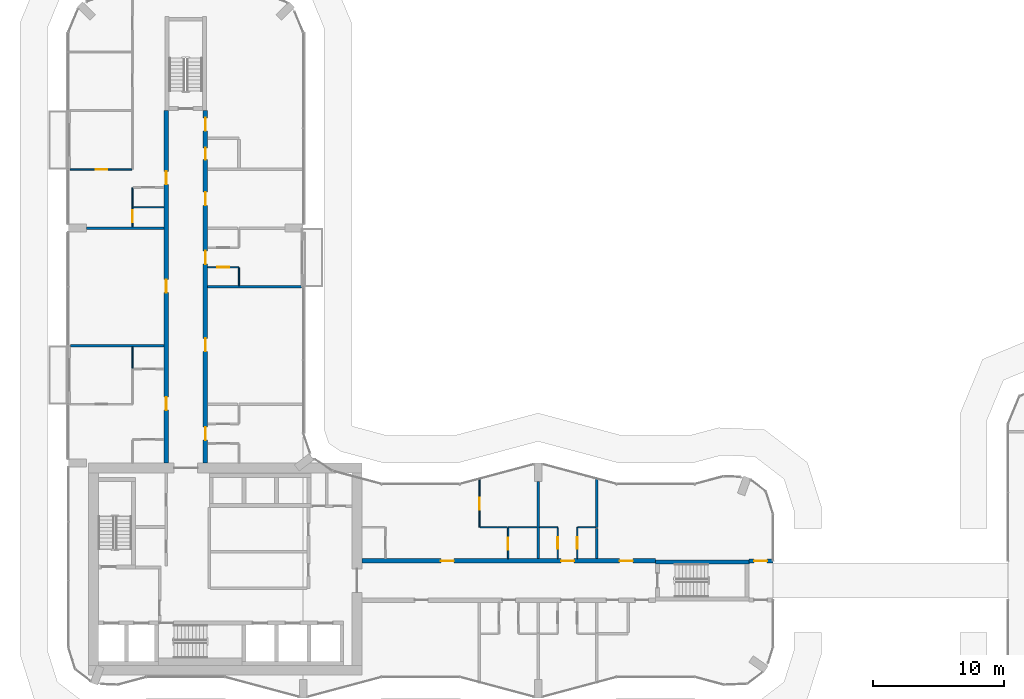
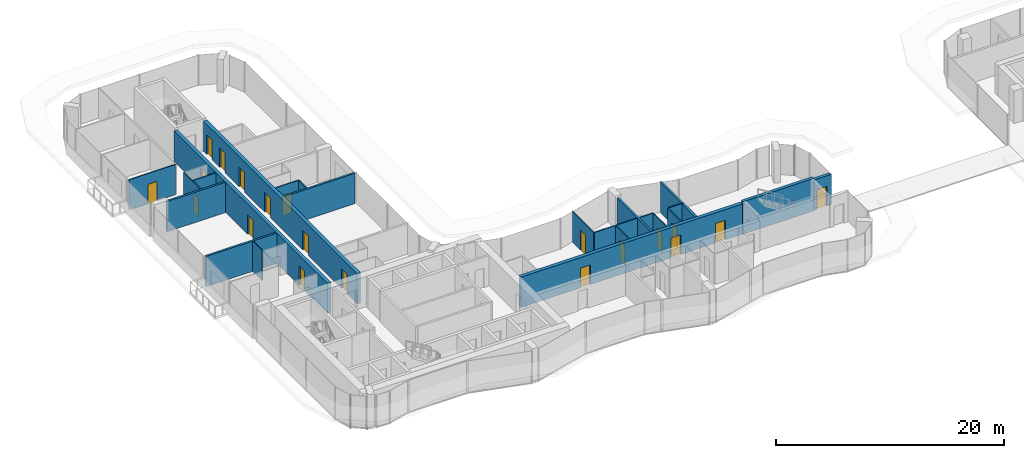
# One storey, part 16 of 24: 25 walls, 20 doors, 20 openings.
"""IFC4 building model written with IfcOpenShell, lengths in metres."""

import ifcopenshell
import ifcopenshell.guid

model = None  # the IFC model being written
_history = None  # IfcOwnerHistory: only IFC2X3 demands one
_inside = {}  # id of a spatial element -> (the spatial element, [elements in it])
_under = {}  # id of a project, library or spatial element -> (it, [spatial elements below it])
_declared = {}  # id of a project -> (the project, [libraries it declares])
_typed = {}  # id of a type object -> (the type object, [elements of that type])
_made_of = {}  # id of a material, layer set ... -> (it, [elements and type objects made of it])


def new_model(schema):
    """Start an empty IFC model of exactly this schema.

    Asked for "IFC4X3", IfcOpenShell would pick the latest addendum, in which some entities
    have other attributes; the version numbers below select the first issue.
    IFC2X3 requires an IfcOwnerHistory on every rooted entity: one is made here for all.
    """
    global model, _history
    if schema == "IFC4X3":
        model = ifcopenshell.file(schema_version=(4, 3, 0, 0))
    else:
        model = ifcopenshell.file(schema=schema)
    _inside.clear()
    _under.clear()
    _declared.clear()
    _typed.clear()
    _made_of.clear()
    _history = None
    if model.schema == "IFC2X3":
        org = make("IfcOrganization", Name="unknown")
        user = make(
            "IfcPersonAndOrganization",
            ThePerson=make("IfcPerson", FamilyName="unknown"),
            TheOrganization=org,
        )
        app = make(
            "IfcApplication",
            ApplicationDeveloper=org,
            Version="unknown",
            ApplicationFullName="unknown",
            ApplicationIdentifier="unknown",
        )
        _history = make(
            "IfcOwnerHistory",
            OwningUser=user,
            OwningApplication=app,
            ChangeAction="ADDED",
            CreationDate=0,
        )
    return model


def make(cls, **values):
    """One entity of the class cls with the attributes given. An attribute that is None is left unset."""
    return model.create_entity(
        cls, **{name: value for name, value in values.items() if value is not None}
    )


def rooted(cls, **values):
    """An entity with a GlobalId (a new one), such as an element, a storey or a relation."""
    return make(cls, GlobalId=ifcopenshell.guid.new(), OwnerHistory=_history, **values)


def si_unit(unit_type, name, prefix=None):
    """IfcSIUnit, for example si_unit("LENGTHUNIT", "METRE", prefix="MILLI")."""
    return make("IfcSIUnit", UnitType=unit_type, Prefix=prefix, Name=name)


def assignment(units):
    """IfcUnitAssignment: the units of a project."""
    return None if units is None else make("IfcUnitAssignment", Units=units)


def point(xyz):
    """IfcCartesianPoint."""
    return None if xyz is None else make("IfcCartesianPoint", Coordinates=xyz)


def direction(xyz):
    """IfcDirection."""
    return None if xyz is None else make("IfcDirection", DirectionRatios=xyz)


def frame(location, z_axis=None, x_axis=None):
    """IfcAxis2Placement3D, a coordinate frame: its origin and axes. An axis left out is left unset."""
    return make(
        "IfcAxis2Placement3D",
        Location=point(location),
        Axis=direction(z_axis),
        RefDirection=direction(x_axis),
    )


def frame_2d(location, x_axis=None):
    """IfcAxis2Placement2D, a coordinate frame in the plane: its origin and x axis."""
    return make(
        "IfcAxis2Placement2D", Location=point(location), RefDirection=direction(x_axis)
    )


def origin():
    """The frame at (0, 0, 0) with its axes left unset."""
    return frame((0.0, 0.0, 0.0))


def place(relative_to, where):
    """IfcLocalPlacement: puts the frame where relative to a parent placement (None: the world)."""
    return make(
        "IfcLocalPlacement", PlacementRelTo=relative_to, RelativePlacement=where
    )


def context(
    kind, dimensions, precision=None, world=None, true_north=None, identifier=None
):
    """IfcGeometricRepresentationContext, for example the 3D "Model" context."""
    return make(
        "IfcGeometricRepresentationContext",
        ContextIdentifier=identifier,
        ContextType=kind,
        CoordinateSpaceDimension=dimensions,
        Precision=precision,
        WorldCoordinateSystem=world,
        TrueNorth=true_north,
    )


def subcontext(parent, identifier, kind, view, scale=None):
    """IfcGeometricRepresentationSubContext, for example "Body" below "Model"."""
    return make(
        "IfcGeometricRepresentationSubContext",
        ContextIdentifier=identifier,
        ContextType=kind,
        ParentContext=parent,
        TargetScale=scale,
        TargetView=view,
    )


def project(units=None, contexts=None):
    """IfcProject with its units and contexts."""
    return rooted(
        "IfcProject",
        Name="project",
        RepresentationContexts=contexts,
        UnitsInContext=assignment(units),
    )


def spatial(cls, under=None, at=None, **own):
    """A site, building, storey or space (cls), placed at a placement, below another one or the project."""
    s = rooted(cls, ObjectPlacement=at, **own)
    if under is not None:
        _under.setdefault(under.id(), (under, []))[1].append(s)
    return s


def profile(cls, at=None, kind="AREA", **sizes):
    """A parametric profile (cls). Its sizes go by their IFC names, for example OverallWidth=200.0."""
    return make(cls, ProfileType=kind, Position=at, **sizes)


def rectangle(**sizes):
    """IfcRectangleProfileDef."""
    return profile("IfcRectangleProfileDef", **sizes)


def extrude(swept, where, along, depth):
    """IfcExtrudedAreaSolid: the profile swept, set in the frame where, extruded along a direction by depth."""
    return make(
        "IfcExtrudedAreaSolid",
        SweptArea=swept,
        Position=where,
        ExtrudedDirection=direction(along),
        Depth=depth,
    )


def shape(context_of_items, identifier, shape_type, items):
    """IfcShapeRepresentation: the items that make up one representation, for example the "Body"."""
    return make(
        "IfcShapeRepresentation",
        ContextOfItems=context_of_items,
        RepresentationIdentifier=identifier,
        RepresentationType=shape_type,
        Items=items,
    )


def material(Name=None, Category=None):
    """IfcMaterial."""
    return make("IfcMaterial", Name=Name, Category=Category)


def layer(
    of_material, thickness, ventilated=None, Name=None, Category=None, Priority=None
):
    """IfcMaterialLayer: one layer of a wall or slab, of a material (None: an air gap)."""
    return make(
        "IfcMaterialLayer",
        Material=of_material,
        LayerThickness=thickness,
        IsVentilated=ventilated,
        Name=Name,
        Category=Category,
        Priority=Priority,
    )


def layer_set(layers, Name=None):
    """IfcMaterialLayerSet."""
    return make("IfcMaterialLayerSet", MaterialLayers=layers, LayerSetName=Name)


def made_of(thing, what):
    """Note that an element or type object is made of a material, layer set ...; save() writes the relation."""
    if what is not None:
        _made_of.setdefault(what.id(), (what, []))[1].append(thing)
    return thing


def type_object(cls, material=None, **own):
    """A type object (cls), such as IfcWallType, which elements share."""
    return made_of(rooted(cls, **own), material)


def element(
    cls,
    number,
    at=None,
    inside=None,
    cuts=None,
    type_object=None,
    material=None,
    context=None,
    identifier="Body",
    shape_type=None,
    held_by="IfcProductDefinitionShape",
    body=None,
    shapes=None,
    **own,
):
    """One element of the class cls, such as IfcWall. Its Tag is "e" and its number.

    at: its placement. inside: the storey or other place that contains it. cuts: it is an
    opening in that element (IfcRelVoidsElement). A single representation is given by context,
    identifier, shape_type and body (its items); several are given by shapes. held_by: the class
    of the entity that holds the representations. save() writes the other relations.
    """
    e = rooted(cls, Tag="e%d" % number, ObjectPlacement=at, **own)
    if body is not None:
        shapes = [shape(context, identifier, shape_type, body)]
    if shapes is not None:
        e.Representation = make(held_by, Representations=shapes)
    if inside is not None:
        _inside.setdefault(inside.id(), (inside, []))[1].append(e)
    if cuts is not None:
        rooted(
            "IfcRelVoidsElement", RelatingBuildingElement=cuts, RelatedOpeningElement=e
        )
    if type_object is not None:
        _typed.setdefault(type_object.id(), (type_object, []))[1].append(e)
    return made_of(e, material)


def fill(opening, filler):
    """IfcRelFillsElement: the door or window that sits in an opening."""
    return rooted(
        "IfcRelFillsElement",
        RelatingOpeningElement=opening,
        RelatedBuildingElement=filler,
    )


def aggregate(whole, parts):
    """IfcRelAggregates: a whole, such as a stair, and the parts it consists of."""
    return rooted("IfcRelAggregates", RelatingObject=whole, RelatedObjects=parts)


def save(model, path):
    """Write the relations noted so far, then the file.

    IfcRelAggregates (storeys below a building ...), IfcRelContainedInSpatialStructure (elements
    in a storey), IfcRelDefinesByType, IfcRelAssociatesMaterial and IfcRelDeclares: one each for
    every whole, place, type object, material and project.
    """
    for whole, parts in _under.values():
        aggregate(whole, parts)
    for where, things in _inside.values():
        rooted(
            "IfcRelContainedInSpatialStructure",
            RelatedElements=things,
            RelatingStructure=where,
        )
    for kind, things in _typed.values():
        rooted("IfcRelDefinesByType", RelatedObjects=things, RelatingType=kind)
    for what, things in _made_of.values():
        rooted("IfcRelAssociatesMaterial", RelatedObjects=things, RelatingMaterial=what)
    for by, libraries in _declared.values():
        rooted("IfcRelDeclares", RelatingContext=by, RelatedDefinitions=libraries)
    model.write(path)


model = new_model("IFC4")

# Units and contexts
model_context = context("Model", 3, precision=1e-05, world=origin(), true_north=direction((0.0, 1.0)))
body_context = subcontext(model_context, "Body", "Model", "MODEL_VIEW")
ifc_project = project(units=[si_unit("LENGTHUNIT", "METRE"), si_unit("AREAUNIT", "SQUARE_METRE"), si_unit("VOLUMEUNIT", "CUBIC_METRE"), si_unit("PLANEANGLEUNIT", "RADIAN"), si_unit("MASSUNIT", "GRAM", prefix="KILO")], contexts=[model_context])

# Site, building, storey
site_placement = place(None, origin())
site = spatial("IfcSite", under=ifc_project, at=site_placement, CompositionType="ELEMENT")
building_placement = place(site_placement, origin())
building = spatial("IfcBuilding", under=site, at=building_placement, Name="Plateau Cross Towers", CompositionType="ELEMENT")
storey_placement = place(building_placement, frame((0.0, 0.0, 30.300048828125)))
storey = spatial("IfcBuildingStorey", under=building, at=storey_placement, Name="L06", CompositionType="ELEMENT", Elevation=30.300048828125)

# Wall, opening, door
ifc_material_1 = material(Name="Concrete C60/75", Category="concrete")
ifc_layer_1 = layer(ifc_material_1, 0.300048828125)
ifc_layer_set_1 = layer_set([ifc_layer_1], Name="Concrete C60/75")
wall_type_1 = type_object("IfcWallType", Name="Bridge stub wall 300", PredefinedType="SHEAR", material=ifc_layer_set_1)
wall_1_placement = place(storey_placement, frame((52.14990234375, 10.5, 0.0), z_axis=(0.0, 0.0, 1.0), x_axis=(1.0, 0.0, 0.0)))
wall_1 = element("IfcWall", 1, at=wall_1_placement, inside=storey, type_object=wall_type_1, Name="A-end-E-bridge-N@L06", PredefinedType="SHEAR", context=body_context, shape_type="SweptSolid", body=[
    extrude(rectangle(XDim=1.85009765625, YDim=0.300048828125, at=frame_2d((0.925048828125, 0.0))), origin(), (0.0, 0.0, 1.0), 3.25),
])
opening_1_placement = place(wall_1_placement, frame((0.39990234375, 0.0, 0.0)))
opening_1 = element("IfcOpeningElement", 2, at=opening_1_placement, cuts=wall_1, Name="Opening 06-40", PredefinedType="OPENING", context=body_context, shape_type="SweptSolid", body=[
    extrude(rectangle(XDim=1.0, YDim=2.10009765625, at=frame_2d((0.5, 1.050048828125))), frame((0.0, 0.159912109375, 0.0), z_axis=(0.0, -1.0, 0.0), x_axis=(1.0, 0.0, 0.0)), (0.0, 0.0, 1.0), 0.320068359375),
])
ifc_material_2 = material(Name="Timber, fire-resisting leaf", Category="wood")
door_type_1 = type_object("IfcDoorType", Name="Link lounge fire door 1000", OperationType="NOTDEFINED", PredefinedType="DOOR", material=ifc_material_2)
door_1_placement = place(opening_1_placement, origin())
door_1 = element("IfcDoor", 3, at=door_1_placement, inside=storey, type_object=door_type_1, Name="Door 06-40", OperationType="SINGLE_SWING_LEFT", OverallHeight=2.10009765625, OverallWidth=1.0, PredefinedType="DOOR", context=body_context, shape_type="SweptSolid", body=[
    extrude(rectangle(XDim=1.0, YDim=2.10009765625, at=frame_2d((0.5, 1.050048828125))), frame((0.0, 0.02490234375, 0.0), z_axis=(0.0, -1.0, 0.0), x_axis=(1.0, 0.0, 0.0)), (0.0, 0.0, 1.0), 0.050048828125),
])
fill(opening_1, door_1)

# Wall, openings, doors
ifc_layer_2 = layer(ifc_material_1, 0.35009765625)
ifc_layer_set_2 = layer_set([ifc_layer_2], Name="Concrete C60/75")
wall_type_2 = type_object("IfcWallType", Name="Corridor wall 350", PredefinedType="SHEAR", material=ifc_layer_set_2)
wall_2_placement = place(storey_placement, frame((22.5, 10.5, 0.0), z_axis=(0.0, 0.0, 1.0), x_axis=(1.0, 0.0, 0.0)))
wall_2 = element("IfcWall", 4, at=wall_2_placement, inside=storey, type_object=wall_type_2, Name="A-cw-S2@L06", PredefinedType="SHEAR", context=body_context, shape_type="SweptSolid", body=[
    extrude(rectangle(XDim=22.5, YDim=0.35009765625, at=frame_2d((11.25, 0.0))), origin(), (0.0, 0.0, 1.0), 3.25),
])
opening_2_placement = place(wall_2_placement, frame((6.050048828125, 0.0, 0.0)))
opening_2 = element("IfcOpeningElement", 5, at=opening_2_placement, cuts=wall_2, Name="Opening 06-06", PredefinedType="OPENING", context=body_context, shape_type="SweptSolid", body=[
    extrude(rectangle(XDim=1.0, YDim=2.10009765625, at=frame_2d((0.5, 1.050048828125))), frame((0.0, 0.18505859375, 0.0), z_axis=(0.0, -1.0, 0.0), x_axis=(1.0, 0.0, 0.0)), (0.0, 0.0, 1.0), 0.3701171875),
])
opening_3_placement = place(wall_2_placement, frame((15.25, 0.0, 0.0)))
opening_3 = element("IfcOpeningElement", 6, at=opening_3_placement, cuts=wall_2, Name="Opening 06-07", PredefinedType="OPENING", context=body_context, shape_type="SweptSolid", body=[
    extrude(rectangle(XDim=1.0, YDim=2.10009765625, at=frame_2d((0.5, 1.050048828125))), frame((0.0, 0.18505859375, 0.0), z_axis=(0.0, -1.0, 0.0), x_axis=(1.0, 0.0, 0.0)), (0.0, 0.0, 1.0), 0.3701171875),
])
opening_4_placement = place(wall_2_placement, frame((19.75, 0.0, 0.0)))
opening_4 = element("IfcOpeningElement", 7, at=opening_4_placement, cuts=wall_2, Name="Opening 06-08", PredefinedType="OPENING", context=body_context, shape_type="SweptSolid", body=[
    extrude(rectangle(XDim=1.0, YDim=2.10009765625, at=frame_2d((0.5, 1.050048828125))), frame((0.0, 0.18505859375, 0.0), z_axis=(0.0, -1.0, 0.0), x_axis=(1.0, 0.0, 0.0)), (0.0, 0.0, 1.0), 0.3701171875),
])
door_type_2 = type_object("IfcDoorType", Name="Flat entrance door 1000", OperationType="NOTDEFINED", PredefinedType="DOOR", material=ifc_material_2)
door_2_placement = place(opening_2_placement, origin())
door_2 = element("IfcDoor", 8, at=door_2_placement, inside=storey, type_object=door_type_2, Name="Door 06-06", OperationType="SINGLE_SWING_LEFT", OverallHeight=2.10009765625, OverallWidth=1.0, PredefinedType="DOOR", context=body_context, shape_type="SweptSolid", body=[
    extrude(rectangle(XDim=1.0, YDim=2.10009765625, at=frame_2d((0.5, 1.050048828125))), frame((0.0, 0.02490234375, 0.0), z_axis=(0.0, -1.0, 0.0), x_axis=(1.0, 0.0, 0.0)), (0.0, 0.0, 1.0), 0.050048828125),
])
fill(opening_2, door_2)
door_3_placement = place(opening_3_placement, origin())
door_3 = element("IfcDoor", 9, at=door_3_placement, inside=storey, type_object=door_type_2, Name="Door 06-07", OperationType="SINGLE_SWING_RIGHT", OverallHeight=2.10009765625, OverallWidth=1.0, PredefinedType="DOOR", context=body_context, shape_type="SweptSolid", body=[
    extrude(rectangle(XDim=1.0, YDim=2.10009765625, at=frame_2d((0.5, 1.050048828125))), frame((0.0, 0.02490234375, 0.0), z_axis=(0.0, -1.0, 0.0), x_axis=(1.0, 0.0, 0.0)), (0.0, 0.0, 1.0), 0.050048828125),
])
fill(opening_3, door_3)
door_4_placement = place(opening_4_placement, origin())
door_4 = element("IfcDoor", 10, at=door_4_placement, inside=storey, type_object=door_type_2, Name="Door 06-08", OperationType="SINGLE_SWING_RIGHT", OverallHeight=2.10009765625, OverallWidth=1.0, PredefinedType="DOOR", context=body_context, shape_type="SweptSolid", body=[
    extrude(rectangle(XDim=1.0, YDim=2.10009765625, at=frame_2d((0.5, 1.050048828125))), frame((0.0, 0.02490234375, 0.0), z_axis=(0.0, -1.0, 0.0), x_axis=(1.0, 0.0, 0.0)), (0.0, 0.0, 1.0), 0.050048828125),
])
fill(opening_4, door_4)

wall_3_placement = place(storey_placement, frame((7.5, 18.0, 0.0), z_axis=(0.0, 0.0, 1.0), x_axis=(0.0, 1.0, 0.0)))
wall_3 = element("IfcWall", 11, at=wall_3_placement, inside=storey, type_object=wall_type_2, Name="A-cw-W1@L06", PredefinedType="SHEAR", context=body_context, shape_type="SweptSolid", body=[
    extrude(rectangle(XDim=27.0, YDim=0.35009765625, at=frame_2d((13.5, 0.0))), origin(), (0.0, 0.0, 1.0), 3.25),
])
opening_5_placement = place(wall_3_placement, frame((4.050048828125, 0.0, 0.0)))
opening_5 = element("IfcOpeningElement", 12, at=opening_5_placement, cuts=wall_3, Name="Opening 06-09", PredefinedType="OPENING", context=body_context, shape_type="SweptSolid", body=[
    extrude(rectangle(XDim=1.0, YDim=2.10009765625, at=frame_2d((0.5, 1.050048828125))), frame((0.0, 0.18505859375, 0.0), z_axis=(0.0, -1.0, 0.0), x_axis=(1.0, 0.0, 0.0)), (0.0, 0.0, 1.0), 0.3701171875),
])
opening_6_placement = place(wall_3_placement, frame((13.050048828125, 0.0, 0.0)))
opening_6 = element("IfcOpeningElement", 13, at=opening_6_placement, cuts=wall_3, Name="Opening 06-10", PredefinedType="OPENING", context=body_context, shape_type="SweptSolid", body=[
    extrude(rectangle(XDim=1.0, YDim=2.10009765625, at=frame_2d((0.5, 1.050048828125))), frame((0.0, 0.18505859375, 0.0), z_axis=(0.0, -1.0, 0.0), x_axis=(1.0, 0.0, 0.0)), (0.0, 0.0, 1.0), 0.3701171875),
])
opening_7_placement = place(wall_3_placement, frame((21.35009765625, 0.0, 0.0)))
opening_7 = element("IfcOpeningElement", 14, at=opening_7_placement, cuts=wall_3, Name="Opening 06-11", PredefinedType="OPENING", context=body_context, shape_type="SweptSolid", body=[
    extrude(rectangle(XDim=1.0, YDim=2.10009765625, at=frame_2d((0.5, 1.050048828125))), frame((0.0, 0.18505859375, 0.0), z_axis=(0.0, -1.0, 0.0), x_axis=(1.0, 0.0, 0.0)), (0.0, 0.0, 1.0), 0.3701171875),
])
door_5_placement = place(opening_5_placement, origin())
door_5 = element("IfcDoor", 15, at=door_5_placement, inside=storey, type_object=door_type_2, Name="Door 06-09", OperationType="SINGLE_SWING_LEFT", OverallHeight=2.10009765625, OverallWidth=1.0, PredefinedType="DOOR", context=body_context, shape_type="SweptSolid", body=[
    extrude(rectangle(XDim=1.0, YDim=2.10009765625, at=frame_2d((0.5, 1.050048828125))), frame((0.0, 0.02490234375, 0.0), z_axis=(0.0, -1.0, 0.0), x_axis=(1.0, 0.0, 0.0)), (0.0, 0.0, 1.0), 0.050048828125),
])
fill(opening_5, door_5)
door_6_placement = place(opening_6_placement, origin())
door_6 = element("IfcDoor", 16, at=door_6_placement, inside=storey, type_object=door_type_2, Name="Door 06-10", OperationType="SINGLE_SWING_RIGHT", OverallHeight=2.10009765625, OverallWidth=1.0, PredefinedType="DOOR", context=body_context, shape_type="SweptSolid", body=[
    extrude(rectangle(XDim=1.0, YDim=2.10009765625, at=frame_2d((0.5, 1.050048828125))), frame((0.0, 0.02490234375, 0.0), z_axis=(0.0, -1.0, 0.0), x_axis=(1.0, 0.0, 0.0)), (0.0, 0.0, 1.0), 0.050048828125),
])
fill(opening_6, door_6)
door_7_placement = place(opening_7_placement, origin())
door_7 = element("IfcDoor", 17, at=door_7_placement, inside=storey, type_object=door_type_2, Name="Door 06-11", OperationType="SINGLE_SWING_RIGHT", OverallHeight=2.10009765625, OverallWidth=1.0, PredefinedType="DOOR", context=body_context, shape_type="SweptSolid", body=[
    extrude(rectangle(XDim=1.0, YDim=2.10009765625, at=frame_2d((0.5, 1.050048828125))), frame((0.0, 0.02490234375, 0.0), z_axis=(0.0, -1.0, 0.0), x_axis=(1.0, 0.0, 0.0)), (0.0, 0.0, 1.0), 0.050048828125),
])
fill(opening_7, door_7)

wall_4_placement = place(storey_placement, frame((10.5, 18.0, 0.0), z_axis=(0.0, 0.0, 1.0), x_axis=(0.0, 1.0, 0.0)))
wall_4 = element("IfcWall", 18, at=wall_4_placement, inside=storey, type_object=wall_type_2, Name="A-cw-W2@L06", PredefinedType="SHEAR", context=body_context, shape_type="SweptSolid", body=[
    extrude(rectangle(XDim=27.0, YDim=0.35009765625, at=frame_2d((13.5, 0.0))), origin(), (0.0, 0.0, 1.0), 3.25),
])
opening_8_placement = place(wall_4_placement, frame((1.75, 0.0, 0.0)))
opening_8 = element("IfcOpeningElement", 19, at=opening_8_placement, cuts=wall_4, Name="Opening 06-12", PredefinedType="OPENING", context=body_context, shape_type="SweptSolid", body=[
    extrude(rectangle(XDim=1.0, YDim=2.10009765625, at=frame_2d((0.5, 1.050048828125))), frame((0.0, 0.18505859375, 0.0), z_axis=(0.0, -1.0, 0.0), x_axis=(1.0, 0.0, 0.0)), (0.0, 0.0, 1.0), 0.3701171875),
])
opening_9_placement = place(wall_4_placement, frame((8.550048828125, 0.0, 0.0)))
opening_9 = element("IfcOpeningElement", 20, at=opening_9_placement, cuts=wall_4, Name="Opening 06-13", PredefinedType="OPENING", context=body_context, shape_type="SweptSolid", body=[
    extrude(rectangle(XDim=1.0, YDim=2.10009765625, at=frame_2d((0.5, 1.050048828125))), frame((0.0, 0.18505859375, 0.0), z_axis=(0.0, -1.0, 0.0), x_axis=(1.0, 0.0, 0.0)), (0.0, 0.0, 1.0), 0.3701171875),
])
opening_10_placement = place(wall_4_placement, frame((15.25, 0.0, 0.0)))
opening_10 = element("IfcOpeningElement", 21, at=opening_10_placement, cuts=wall_4, Name="Opening 06-14", PredefinedType="OPENING", context=body_context, shape_type="SweptSolid", body=[
    extrude(rectangle(XDim=1.0, YDim=2.10009765625, at=frame_2d((0.5, 1.050048828125))), frame((0.0, 0.18505859375, 0.0), z_axis=(0.0, -1.0, 0.0), x_axis=(1.0, 0.0, 0.0)), (0.0, 0.0, 1.0), 0.3701171875),
])
opening_11_placement = place(wall_4_placement, frame((19.75, 0.0, 0.0)))
opening_11 = element("IfcOpeningElement", 22, at=opening_11_placement, cuts=wall_4, Name="Opening 06-15", PredefinedType="OPENING", context=body_context, shape_type="SweptSolid", body=[
    extrude(rectangle(XDim=1.0, YDim=2.10009765625, at=frame_2d((0.5, 1.050048828125))), frame((0.0, 0.18505859375, 0.0), z_axis=(0.0, -1.0, 0.0), x_axis=(1.0, 0.0, 0.0)), (0.0, 0.0, 1.0), 0.3701171875),
])
opening_12_placement = place(wall_4_placement, frame((23.25, 0.0, 0.0)))
opening_12 = element("IfcOpeningElement", 23, at=opening_12_placement, cuts=wall_4, Name="Opening 06-16", PredefinedType="OPENING", context=body_context, shape_type="SweptSolid", body=[
    extrude(rectangle(XDim=0.89990234375, YDim=2.10009765625, at=frame_2d((0.449951171875, 1.050048828125))), frame((0.0, 0.18505859375, 0.0), z_axis=(0.0, -1.0, 0.0), x_axis=(1.0, 0.0, 0.0)), (0.0, 0.0, 1.0), 0.3701171875),
])
opening_13_placement = place(wall_4_placement, frame((25.449951171875, 0.0, 0.0)))
opening_13 = element("IfcOpeningElement", 24, at=opening_13_placement, cuts=wall_4, Name="Opening 06-17", PredefinedType="OPENING", context=body_context, shape_type="SweptSolid", body=[
    extrude(rectangle(XDim=1.0, YDim=2.10009765625, at=frame_2d((0.5, 1.050048828125))), frame((0.0, 0.18505859375, 0.0), z_axis=(0.0, -1.0, 0.0), x_axis=(1.0, 0.0, 0.0)), (0.0, 0.0, 1.0), 0.3701171875),
])
door_8_placement = place(opening_8_placement, origin())
door_8 = element("IfcDoor", 25, at=door_8_placement, inside=storey, type_object=door_type_2, Name="Door 06-12", OperationType="SINGLE_SWING_LEFT", OverallHeight=2.10009765625, OverallWidth=1.0, PredefinedType="DOOR", context=body_context, shape_type="SweptSolid", body=[
    extrude(rectangle(XDim=1.0, YDim=2.10009765625, at=frame_2d((0.5, 1.050048828125))), frame((0.0, 0.02490234375, 0.0), z_axis=(0.0, -1.0, 0.0), x_axis=(1.0, 0.0, 0.0)), (0.0, 0.0, 1.0), 0.050048828125),
])
fill(opening_8, door_8)
door_9_placement = place(opening_9_placement, origin())
door_9 = element("IfcDoor", 26, at=door_9_placement, inside=storey, type_object=door_type_2, Name="Door 06-13", OperationType="SINGLE_SWING_LEFT", OverallHeight=2.10009765625, OverallWidth=1.0, PredefinedType="DOOR", context=body_context, shape_type="SweptSolid", body=[
    extrude(rectangle(XDim=1.0, YDim=2.10009765625, at=frame_2d((0.5, 1.050048828125))), frame((0.0, 0.02490234375, 0.0), z_axis=(0.0, -1.0, 0.0), x_axis=(1.0, 0.0, 0.0)), (0.0, 0.0, 1.0), 0.050048828125),
])
fill(opening_9, door_9)
door_10_placement = place(opening_10_placement, origin())
door_10 = element("IfcDoor", 27, at=door_10_placement, inside=storey, type_object=door_type_2, Name="Door 06-14", OperationType="SINGLE_SWING_RIGHT", OverallHeight=2.10009765625, OverallWidth=1.0, PredefinedType="DOOR", context=body_context, shape_type="SweptSolid", body=[
    extrude(rectangle(XDim=1.0, YDim=2.10009765625, at=frame_2d((0.5, 1.050048828125))), frame((0.0, 0.02490234375, 0.0), z_axis=(0.0, -1.0, 0.0), x_axis=(1.0, 0.0, 0.0)), (0.0, 0.0, 1.0), 0.050048828125),
])
fill(opening_10, door_10)
door_11_placement = place(opening_11_placement, origin())
door_11 = element("IfcDoor", 28, at=door_11_placement, inside=storey, type_object=door_type_2, Name="Door 06-15", OperationType="SINGLE_SWING_RIGHT", OverallHeight=2.10009765625, OverallWidth=1.0, PredefinedType="DOOR", context=body_context, shape_type="SweptSolid", body=[
    extrude(rectangle(XDim=1.0, YDim=2.10009765625, at=frame_2d((0.5, 1.050048828125))), frame((0.0, 0.02490234375, 0.0), z_axis=(0.0, -1.0, 0.0), x_axis=(1.0, 0.0, 0.0)), (0.0, 0.0, 1.0), 0.050048828125),
])
fill(opening_11, door_11)
door_12_placement = place(opening_13_placement, origin())
door_12 = element("IfcDoor", 29, at=door_12_placement, inside=storey, type_object=door_type_2, Name="Door 06-17", OperationType="SINGLE_SWING_RIGHT", OverallHeight=2.10009765625, OverallWidth=1.0, PredefinedType="DOOR", context=body_context, shape_type="SweptSolid", body=[
    extrude(rectangle(XDim=1.0, YDim=2.10009765625, at=frame_2d((0.5, 1.050048828125))), frame((0.0, 0.02490234375, 0.0), z_axis=(0.0, -1.0, 0.0), x_axis=(1.0, 0.0, 0.0)), (0.0, 0.0, 1.0), 0.050048828125),
])
fill(opening_13, door_12)
door_type_3 = type_object("IfcDoorType", Name="Flat floor service door 900", OperationType="NOTDEFINED", PredefinedType="DOOR", material=ifc_material_2)
door_13_placement = place(opening_12_placement, origin())
door_13 = element("IfcDoor", 30, at=door_13_placement, inside=storey, type_object=door_type_3, Name="Door 06-16", OperationType="SINGLE_SWING_RIGHT", OverallHeight=2.10009765625, OverallWidth=0.89990234375, PredefinedType="DOOR", context=body_context, shape_type="SweptSolid", body=[
    extrude(rectangle(XDim=0.89990234375, YDim=2.10009765625, at=frame_2d((0.449951171875, 1.050048828125))), frame((0.0, 0.02490234375, 0.0), z_axis=(0.0, -1.0, 0.0), x_axis=(1.0, 0.0, 0.0)), (0.0, 0.0, 1.0), 0.050048828125),
])
fill(opening_12, door_13)

# Walls
ifc_material_3 = material(Name="Gypsum board on steel studs", Category="steel")
ifc_layer_3 = layer(ifc_material_3, 0.10009765625)
ifc_layer_set_3 = layer_set([ifc_layer_3], Name="Gypsum board on steel studs")
wall_type_3 = type_object("IfcWallType", Name="Flat partition 100", PredefinedType="PARTITIONING", material=ifc_layer_set_3)
wall_5_placement = place(storey_placement, frame((35.89990234375, 13.074951171875, 0.0), z_axis=(0.0, 0.0, 1.0), x_axis=(-1.0, 0.0, 0.0)))
element("IfcWall", 31, at=wall_5_placement, inside=storey, type_object=wall_type_3, Name="Partition wall", PredefinedType="PARTITIONING", context=body_context, shape_type="SweptSolid", body=[
    extrude(rectangle(XDim=2.199951171875, YDim=0.10009765625, at=frame_2d((1.10009765625, 0.0))), origin(), (0.0, 0.0, 1.0), 3.25),
])
wall_6_placement = place(storey_placement, frame((37.5, 13.074951171875, 0.0), z_axis=(0.0, 0.0, 1.0), x_axis=(-1.0, 0.0, 0.0)))
element("IfcWall", 32, at=wall_6_placement, inside=storey, type_object=wall_type_3, Name="Partition wall", PredefinedType="PARTITIONING", context=body_context, shape_type="SweptSolid", body=[
    extrude(rectangle(XDim=1.39990234375, YDim=0.10009765625, at=frame_2d((0.699951171875, 0.0))), origin(), (0.0, 0.0, 1.0), 3.25),
])
wall_7_placement = place(storey_placement, frame((40.39990234375, 13.074951171875, 0.0), z_axis=(0.0, 0.0, 1.0), x_axis=(-1.0, 0.0, 0.0)))
element("IfcWall", 33, at=wall_7_placement, inside=storey, type_object=wall_type_3, Name="Partition wall", PredefinedType="PARTITIONING", context=body_context, shape_type="SweptSolid", body=[
    extrude(rectangle(XDim=1.349853515625, YDim=0.10009765625, at=frame_2d((0.6748046875, 0.0))), origin(), (0.0, 0.0, 1.0), 3.25),
])
wall_8_placement = place(storey_placement, frame((31.550048828125, 13.074951171875, 0.0), z_axis=(0.0, 0.0, 1.0), x_axis=(1.0, 0.0, 0.0)))
element("IfcWall", 34, at=wall_8_placement, inside=storey, type_object=wall_type_3, Name="Partition wall", PredefinedType="PARTITIONING", context=body_context, shape_type="SweptSolid", body=[
    extrude(rectangle(XDim=2.099853515625, YDim=0.10009765625, at=frame_2d((1.0498046875, 0.0))), origin(), (0.0, 0.0, 1.0), 3.25),
])

# Wall, opening, door
wall_9_placement = place(storey_placement, frame((13.074951171875, 33.0, 0.0), z_axis=(0.0, 0.0, 1.0), x_axis=(-1.0, 0.0, 0.0)))
wall_9 = element("IfcWall", 35, at=wall_9_placement, inside=storey, type_object=wall_type_3, Name="Partition wall", PredefinedType="PARTITIONING", context=body_context, shape_type="SweptSolid", body=[
    extrude(rectangle(XDim=2.39990234375, YDim=0.10009765625, at=frame_2d((1.199951171875, 0.0))), origin(), (0.0, 0.0, 1.0), 3.25),
])
opening_14_placement = place(wall_9_placement, frame((0.75, 0.0, 0.0)))
opening_14 = element("IfcOpeningElement", 36, at=opening_14_placement, cuts=wall_9, Name="Opening 06-37", PredefinedType="OPENING", context=body_context, shape_type="SweptSolid", body=[
    extrude(rectangle(XDim=0.89990234375, YDim=2.10009765625, at=frame_2d((0.449951171875, 1.050048828125))), frame((0.0, 0.06005859375, 0.0), z_axis=(0.0, -1.0, 0.0), x_axis=(1.0, 0.0, 0.0)), (0.0, 0.0, 1.0), 0.1201171875),
])
ifc_material_4 = material(Name="Timber leaf", Category="wood")
door_type_4 = type_object("IfcDoorType", Name="Flat room door 900", OperationType="NOTDEFINED", PredefinedType="DOOR", material=ifc_material_4)
door_14_placement = place(opening_14_placement, origin())
door_14 = element("IfcDoor", 37, at=door_14_placement, inside=storey, type_object=door_type_4, Name="Door 06-37", OperationType="SINGLE_SWING_RIGHT", OverallHeight=2.10009765625, OverallWidth=0.89990234375, PredefinedType="DOOR", context=body_context, shape_type="SweptSolid", body=[
    extrude(rectangle(XDim=0.89990234375, YDim=2.10009765625, at=frame_2d((0.449951171875, 1.050048828125))), frame((0.0, 0.02490234375, 0.0), z_axis=(0.0, -1.0, 0.0), x_axis=(1.0, 0.0, 0.0)), (0.0, 0.0, 1.0), 0.050048828125),
])
fill(opening_14, door_14)

# Wall
wall_10_placement = place(storey_placement, frame((7.324951171875, 37.60009765625, 0.0), z_axis=(0.0, 0.0, 1.0), x_axis=(-1.0, 0.0, 0.0)))
element("IfcWall", 38, at=wall_10_placement, inside=storey, type_object=wall_type_3, Name="Partition wall", PredefinedType="PARTITIONING", context=body_context, shape_type="SweptSolid", body=[
    extrude(rectangle(XDim=2.349853515625, YDim=0.10009765625, at=frame_2d((1.1748046875, 0.0))), origin(), (0.0, 0.0, 1.0), 3.25),
])

# Wall, opening, door
wall_11_placement = place(storey_placement, frame((0.14990234375, 40.5, 0.0), z_axis=(0.0, 0.0, 1.0), x_axis=(1.0, 0.0, 0.0)))
wall_11 = element("IfcWall", 39, at=wall_11_placement, inside=storey, type_object=wall_type_3, Name="Partition wall", PredefinedType="PARTITIONING", context=body_context, shape_type="SweptSolid", body=[
    extrude(rectangle(XDim=4.72509765625, YDim=0.10009765625, at=frame_2d((2.362548828125, 0.0))), origin(), (0.0, 0.0, 1.0), 3.25),
])
opening_15_placement = place(wall_11_placement, frame((1.949951171875, 0.0, 0.0)))
opening_15 = element("IfcOpeningElement", 40, at=opening_15_placement, cuts=wall_11, Name="Opening 06-32", PredefinedType="OPENING", context=body_context, shape_type="SweptSolid", body=[
    extrude(rectangle(XDim=0.89990234375, YDim=2.10009765625, at=frame_2d((0.449951171875, 1.050048828125))), frame((0.0, 0.06005859375, 0.0), z_axis=(0.0, -1.0, 0.0), x_axis=(1.0, 0.0, 0.0)), (0.0, 0.0, 1.0), 0.1201171875),
])
door_15_placement = place(opening_15_placement, origin())
door_15 = element("IfcDoor", 41, at=door_15_placement, inside=storey, type_object=door_type_4, Name="Door 06-32", OperationType="SINGLE_SWING_RIGHT", OverallHeight=2.10009765625, OverallWidth=0.89990234375, PredefinedType="DOOR", context=body_context, shape_type="SweptSolid", body=[
    extrude(rectangle(XDim=0.89990234375, YDim=2.10009765625, at=frame_2d((0.449951171875, 1.050048828125))), frame((0.0, 0.02490234375, 0.0), z_axis=(0.0, -1.0, 0.0), x_axis=(1.0, 0.0, 0.0)), (0.0, 0.0, 1.0), 0.050048828125),
])
fill(opening_15, door_15)

# Wall
wall_12_placement = place(storey_placement, frame((4.925048828125, 26.89990234375, 0.0), z_axis=(0.0, 0.0, 1.0), x_axis=(0.0, -1.0, 0.0)))
element("IfcWall", 42, at=wall_12_placement, inside=storey, type_object=wall_type_3, Name="Partition wall", PredefinedType="PARTITIONING", context=body_context, shape_type="SweptSolid", body=[
    extrude(rectangle(XDim=1.64990234375, YDim=0.10009765625, at=frame_2d((0.824951171875, 0.0))), origin(), (0.0, 0.0, 1.0), 3.25),
])

# Wall, opening, door
wall_13_placement = place(storey_placement, frame((4.925048828125, 39.10009765625, 0.0), z_axis=(0.0, 0.0, 1.0), x_axis=(0.0, -1.0, 0.0)))
wall_13 = element("IfcWall", 43, at=wall_13_placement, inside=storey, type_object=wall_type_3, Name="Partition wall", PredefinedType="PARTITIONING", context=body_context, shape_type="SweptSolid", body=[
    extrude(rectangle(XDim=3.0, YDim=0.10009765625, at=frame_2d((1.5, 0.0))), origin(), (0.0, 0.0, 1.0), 3.25),
])
opening_16_placement = place(wall_13_placement, frame((1.75, 0.0, 0.0)))
opening_16 = element("IfcOpeningElement", 44, at=opening_16_placement, cuts=wall_13, Name="Opening 06-30", PredefinedType="OPENING", context=body_context, shape_type="SweptSolid", body=[
    extrude(rectangle(XDim=0.89990234375, YDim=2.10009765625, at=frame_2d((0.449951171875, 1.050048828125))), frame((0.0, 0.06005859375, 0.0), z_axis=(0.0, -1.0, 0.0), x_axis=(1.0, 0.0, 0.0)), (0.0, 0.0, 1.0), 0.1201171875),
])
door_16_placement = place(opening_16_placement, origin())
door_16 = element("IfcDoor", 45, at=door_16_placement, inside=storey, type_object=door_type_4, Name="Door 06-30", OperationType="SINGLE_SWING_RIGHT", OverallHeight=2.10009765625, OverallWidth=0.89990234375, PredefinedType="DOOR", context=body_context, shape_type="SweptSolid", body=[
    extrude(rectangle(XDim=0.89990234375, YDim=2.10009765625, at=frame_2d((0.449951171875, 1.050048828125))), frame((0.0, 0.02490234375, 0.0), z_axis=(0.0, -1.0, 0.0), x_axis=(1.0, 0.0, 0.0)), (0.0, 0.0, 1.0), 0.050048828125),
])
fill(opening_16, door_16)

# Wall
wall_14_placement = place(storey_placement, frame((13.074951171875, 31.60009765625, 0.0), z_axis=(0.0, 0.0, 1.0), x_axis=(0.0, 1.0, 0.0)))
element("IfcWall", 46, at=wall_14_placement, inside=storey, type_object=wall_type_3, Name="Partition wall", PredefinedType="PARTITIONING", context=body_context, shape_type="SweptSolid", body=[
    extrude(rectangle(XDim=1.349853515625, YDim=0.10009765625, at=frame_2d((0.6748046875, 0.0))), origin(), (0.0, 0.0, 1.0), 3.25),
])

# Wall, opening, door
wall_15_placement = place(storey_placement, frame((31.5, 16.877685546875, 0.0), z_axis=(0.0, 0.0, 1.0), x_axis=(0.0, -1.0, 0.0)))
wall_15 = element("IfcWall", 47, at=wall_15_placement, inside=storey, type_object=wall_type_3, Name="Partition wall", PredefinedType="PARTITIONING", context=body_context, shape_type="SweptSolid", body=[
    extrude(rectangle(XDim=3.802734375, YDim=0.10009765625, at=frame_2d((1.9013671875, 0.0))), origin(), (0.0, 0.0, 1.0), 3.25),
])
opening_17_placement = place(wall_15_placement, frame((1.550048828125, 0.0, 0.0)))
opening_17 = element("IfcOpeningElement", 48, at=opening_17_placement, cuts=wall_15, Name="Opening 06-24", PredefinedType="OPENING", context=body_context, shape_type="SweptSolid", body=[
    extrude(rectangle(XDim=0.89990234375, YDim=2.10009765625, at=frame_2d((0.449951171875, 1.050048828125))), frame((0.0, 0.06005859375, 0.0), z_axis=(0.0, -1.0, 0.0), x_axis=(1.0, 0.0, 0.0)), (0.0, 0.0, 1.0), 0.1201171875),
])
door_17_placement = place(opening_17_placement, origin())
door_17 = element("IfcDoor", 49, at=door_17_placement, inside=storey, type_object=door_type_4, Name="Door 06-24", OperationType="SINGLE_SWING_RIGHT", OverallHeight=2.10009765625, OverallWidth=0.89990234375, PredefinedType="DOOR", context=body_context, shape_type="SweptSolid", body=[
    extrude(rectangle(XDim=0.89990234375, YDim=2.10009765625, at=frame_2d((0.449951171875, 1.050048828125))), frame((0.0, 0.02490234375, 0.0), z_axis=(0.0, -1.0, 0.0), x_axis=(1.0, 0.0, 0.0)), (0.0, 0.0, 1.0), 0.050048828125),
])
fill(opening_17, door_17)

wall_16_placement = place(storey_placement, frame((33.699951171875, 13.02490234375, 0.0), z_axis=(0.0, 0.0, 1.0), x_axis=(0.0, -1.0, 0.0)))
wall_16 = element("IfcWall", 50, at=wall_16_placement, inside=storey, type_object=wall_type_3, Name="Partition wall", PredefinedType="PARTITIONING", context=body_context, shape_type="SweptSolid", body=[
    extrude(rectangle(XDim=2.349853515625, YDim=0.10009765625, at=frame_2d((1.1748046875, 0.0))), origin(), (0.0, 0.0, 1.0), 3.25),
])
opening_18_placement = place(wall_16_placement, frame((0.75, 0.0, 0.0)))
opening_18 = element("IfcOpeningElement", 51, at=opening_18_placement, cuts=wall_16, Name="Opening 06-23", PredefinedType="OPENING", context=body_context, shape_type="SweptSolid", body=[
    extrude(rectangle(XDim=0.89990234375, YDim=2.10009765625, at=frame_2d((0.449951171875, 1.050048828125))), frame((0.0, 0.06005859375, 0.0), z_axis=(0.0, -1.0, 0.0), x_axis=(1.0, 0.0, 0.0)), (0.0, 0.0, 1.0), 0.1201171875),
])
door_18_placement = place(opening_18_placement, origin())
door_18 = element("IfcDoor", 52, at=door_18_placement, inside=storey, type_object=door_type_4, Name="Door 06-23", OperationType="SINGLE_SWING_RIGHT", OverallHeight=2.10009765625, OverallWidth=0.89990234375, PredefinedType="DOOR", context=body_context, shape_type="SweptSolid", body=[
    extrude(rectangle(XDim=0.89990234375, YDim=2.10009765625, at=frame_2d((0.449951171875, 1.050048828125))), frame((0.0, 0.02490234375, 0.0), z_axis=(0.0, -1.0, 0.0), x_axis=(1.0, 0.0, 0.0)), (0.0, 0.0, 1.0), 0.050048828125),
])
fill(opening_18, door_18)

wall_17_placement = place(storey_placement, frame((37.5, 10.675048828125, 0.0), z_axis=(0.0, 0.0, 1.0), x_axis=(0.0, 1.0, 0.0)))
wall_17 = element("IfcWall", 53, at=wall_17_placement, inside=storey, type_object=wall_type_3, Name="Partition wall", PredefinedType="PARTITIONING", context=body_context, shape_type="SweptSolid", body=[
    extrude(rectangle(XDim=2.349853515625, YDim=0.10009765625, at=frame_2d((1.1748046875, 0.0))), origin(), (0.0, 0.0, 1.0), 3.25),
])
opening_19_placement = place(wall_17_placement, frame((0.75, 0.0, 0.0)))
opening_19 = element("IfcOpeningElement", 54, at=opening_19_placement, cuts=wall_17, Name="Opening 06-25", PredefinedType="OPENING", context=body_context, shape_type="SweptSolid", body=[
    extrude(rectangle(XDim=0.89990234375, YDim=2.10009765625, at=frame_2d((0.449951171875, 1.050048828125))), frame((0.0, 0.06005859375, 0.0), z_axis=(0.0, -1.0, 0.0), x_axis=(1.0, 0.0, 0.0)), (0.0, 0.0, 1.0), 0.1201171875),
])
door_19_placement = place(opening_19_placement, origin())
door_19 = element("IfcDoor", 55, at=door_19_placement, inside=storey, type_object=door_type_4, Name="Door 06-25", OperationType="SINGLE_SWING_RIGHT", OverallHeight=2.10009765625, OverallWidth=0.89990234375, PredefinedType="DOOR", context=body_context, shape_type="SweptSolid", body=[
    extrude(rectangle(XDim=0.89990234375, YDim=2.10009765625, at=frame_2d((0.449951171875, 1.050048828125))), frame((0.0, 0.02490234375, 0.0), z_axis=(0.0, -1.0, 0.0), x_axis=(1.0, 0.0, 0.0)), (0.0, 0.0, 1.0), 0.050048828125),
])
fill(opening_19, door_19)

wall_18_placement = place(storey_placement, frame((39.0, 13.074951171875, 0.0), z_axis=(0.0, 0.0, 1.0), x_axis=(0.0, -1.0, 0.0)))
wall_18 = element("IfcWall", 56, at=wall_18_placement, inside=storey, type_object=wall_type_3, Name="Partition wall", PredefinedType="PARTITIONING", context=body_context, shape_type="SweptSolid", body=[
    extrude(rectangle(XDim=2.39990234375, YDim=0.10009765625, at=frame_2d((1.199951171875, 0.0))), origin(), (0.0, 0.0, 1.0), 3.25),
])
opening_20_placement = place(wall_18_placement, frame((0.75, 0.0, 0.0)))
opening_20 = element("IfcOpeningElement", 57, at=opening_20_placement, cuts=wall_18, Name="Opening 06-26", PredefinedType="OPENING", context=body_context, shape_type="SweptSolid", body=[
    extrude(rectangle(XDim=0.89990234375, YDim=2.10009765625, at=frame_2d((0.449951171875, 1.050048828125))), frame((0.0, 0.06005859375, 0.0), z_axis=(0.0, -1.0, 0.0), x_axis=(1.0, 0.0, 0.0)), (0.0, 0.0, 1.0), 0.1201171875),
])
door_20_placement = place(opening_20_placement, origin())
door_20 = element("IfcDoor", 58, at=door_20_placement, inside=storey, type_object=door_type_4, Name="Door 06-26", OperationType="SINGLE_SWING_RIGHT", OverallHeight=2.10009765625, OverallWidth=0.89990234375, PredefinedType="DOOR", context=body_context, shape_type="SweptSolid", body=[
    extrude(rectangle(XDim=0.89990234375, YDim=2.10009765625, at=frame_2d((0.449951171875, 1.050048828125))), frame((0.0, 0.02490234375, 0.0), z_axis=(0.0, -1.0, 0.0), x_axis=(1.0, 0.0, 0.0)), (0.0, 0.0, 1.0), 0.050048828125),
])
fill(opening_20, door_20)

# Walls
ifc_material_5 = material(Name="Gypsum board on steel studs, two layers each side", Category="steel")
ifc_layer_4 = layer(ifc_material_5, 0.199951171875)
ifc_layer_set_4 = layer_set([ifc_layer_4], Name="Gypsum board on steel studs, two layers each side")
wall_type_4 = type_object("IfcWallType", Name="Flat party wall 200", PredefinedType="PARTITIONING", material=ifc_layer_set_4)
for number, where, z_axis, x_axis, name in (
    (59, (7.324951171875, 27.0, 0.0), (0.0, 0.0, 1.0), (-1.0, 0.0, 0.0), "Party wall"),
    (60, (17.85009765625, 31.5, 0.0), (0.0, 0.0, 1.0), (-1.0, 0.0, 0.0), "Party wall"),
):
    element("IfcWall", number, at=place(storey_placement, frame(where, z_axis=z_axis, x_axis=x_axis)), inside=storey, type_object=wall_type_4, Name=name, PredefinedType="PARTITIONING", context=body_context, shape_type="SweptSolid", body=[
        extrude(rectangle(XDim=7.175048828125, YDim=0.199951171875, at=frame_2d((3.58740234375, 0.0))), origin(), (0.0, 0.0, 1.0), 3.25),
    ])
for number, where, z_axis, x_axis, name in (
    (61, (7.324951171875, 36.0, 0.0), (0.0, 0.0, 1.0), (-1.0, 0.0, 0.0), "Party wall"),
    (62, (36.0, 10.675048828125, 0.0), (0.0, 0.0, 1.0), (0.0, 1.0, 0.0), "Party wall"),
):
    element("IfcWall", number, at=place(storey_placement, frame(where, z_axis=z_axis, x_axis=x_axis)), inside=storey, type_object=wall_type_4, Name=name, PredefinedType="PARTITIONING", context=body_context, shape_type="SweptSolid", body=[
        extrude(rectangle(XDim=5.925048828125, YDim=0.199951171875, at=frame_2d((2.96240234375, 0.0))), origin(), (0.0, 0.0, 1.0), 3.25),
    ])
wall_19_placement = place(storey_placement, frame((40.5, 16.877685546875, 0.0), z_axis=(0.0, 0.0, 1.0), x_axis=(0.0, -1.0, 0.0)))
element("IfcWall", 63, at=wall_19_placement, inside=storey, type_object=wall_type_4, Name="Party wall", PredefinedType="PARTITIONING", context=body_context, shape_type="SweptSolid", body=[
    extrude(rectangle(XDim=3.802734375, YDim=0.199951171875, at=frame_2d((1.9013671875, 0.0))), origin(), (0.0, 0.0, 1.0), 3.25),
])
wall_20_placement = place(storey_placement, frame((40.5, 10.675048828125, 0.0), z_axis=(0.0, 0.0, 1.0), x_axis=(0.0, 1.0, 0.0)))
element("IfcWall", 64, at=wall_20_placement, inside=storey, type_object=wall_type_4, Name="Party wall", PredefinedType="PARTITIONING", context=body_context, shape_type="SweptSolid", body=[
    extrude(rectangle(XDim=2.300048828125, YDim=0.199951171875, at=frame_2d((1.14990234375, 0.0))), origin(), (0.0, 0.0, 1.0), 3.25),
])
ifc_layer_5 = layer(ifc_material_1, 0.300048828125)
ifc_layer_set_5 = layer_set([ifc_layer_5], Name="Concrete C60/75")
wall_type_5 = type_object("IfcWallType", Name="Stair tower wall 300", PredefinedType="SHEAR", material=ifc_layer_set_5)
wall_21_placement = place(storey_placement, frame((45.0, 10.425048828125, 0.0), z_axis=(0.0, 0.0, 1.0), x_axis=(1.0, 0.0, 0.0)))
element("IfcWall", 65, at=wall_21_placement, inside=storey, type_object=wall_type_5, Name="A-end-E-N@L06", PredefinedType="SHEAR", context=body_context, shape_type="SweptSolid", body=[
    extrude(rectangle(XDim=7.199951171875, YDim=0.300048828125, at=frame_2d((3.60009765625, 0.0))), origin(), (0.0, 0.0, 1.0), 3.5),
])

save(model, "model.ifc")
